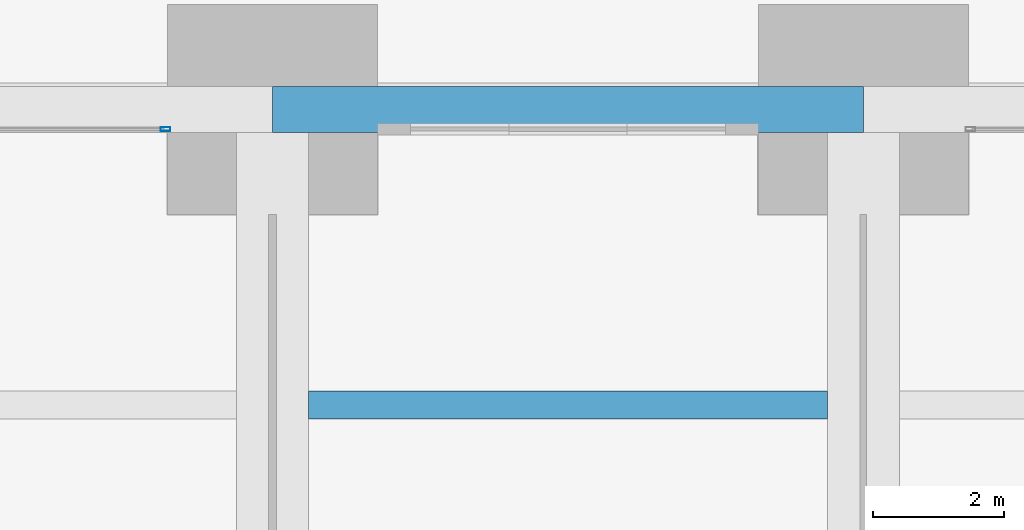
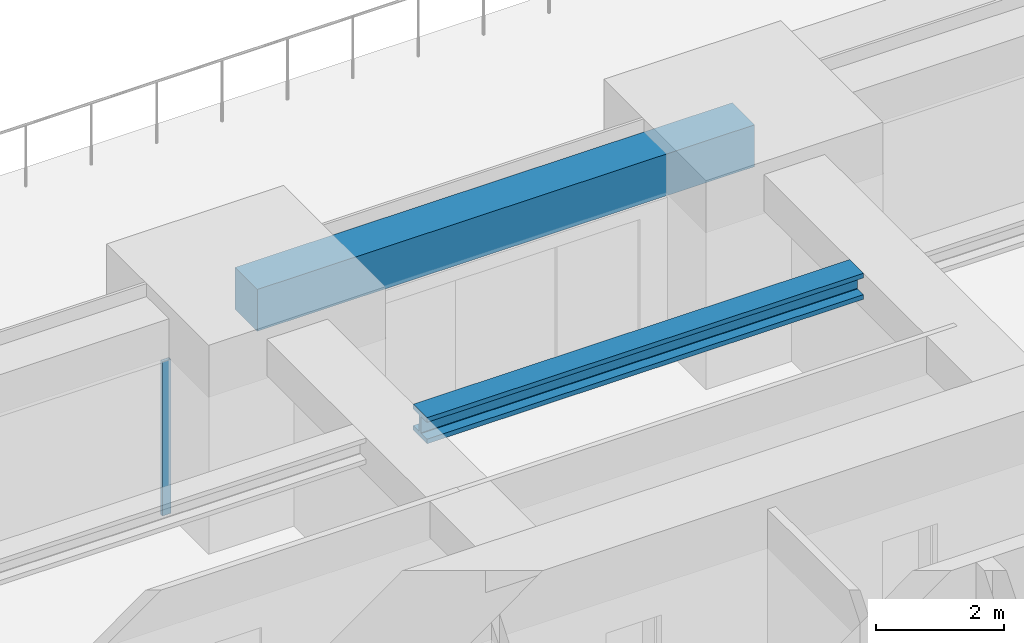
# One storey, part 29 of 50: 2 beams, 1 member, 1 element without a shape of its own.
"""IFC4 building model written with IfcOpenShell, lengths in metres."""

from ifc_helpers import new_model, si_unit, direction, frame, origin, origin_2d, place, context, subcontext, project, spatial, rectangle, hollow_rectangle, i_section, extrude, material, material_profile, profile_set, type_object, element, aggregate, save


model = new_model("IFC4")

# Units and contexts
model_context = context("Model", 3, precision=1e-05, world=origin(), true_north=direction((0.0, 1.0)))
body_context = subcontext(model_context, "Body", "Model", "MODEL_VIEW")
ifc_project = project(units=[si_unit("LENGTHUNIT", "METRE"), si_unit("AREAUNIT", "SQUARE_METRE"), si_unit("VOLUMEUNIT", "CUBIC_METRE"), si_unit("PLANEANGLEUNIT", "RADIAN"), si_unit("MASSUNIT", "GRAM", prefix="KILO")], contexts=[model_context])

# Site, building, storey
site_placement = place(None, origin())
site = spatial("IfcSite", under=ifc_project, at=site_placement, CompositionType="ELEMENT")
building_placement = place(site_placement, origin())
building = spatial("IfcBuilding", under=site, at=building_placement, Name="Zorevar Civic Tower", CompositionType="ELEMENT")
storey_placement = place(building_placement, frame((0.0, 0.0, 85.0)))
storey = spatial("IfcBuildingStorey", under=building, at=storey_placement, Name="L20", CompositionType="ELEMENT", Elevation=85.0)

# Curtain wall, member
ifc_material_1 = material(Name="Dark grey solar-control glass in black aluminium frame", Category="aluminium")
curtain_wall_type = type_object("IfcCurtainWallType", Name="Curtain wall CW3 mid zone", PredefinedType="NOTDEFINED", material=ifc_material_1)
curtain_wall_placement = place(storey_placement, origin())
curtain_wall = element("IfcCurtainWall", 1, at=curtain_wall_placement, inside=storey, type_object=curtain_wall_type, Name="CW3 L20", PredefinedType="NOTDEFINED")
ifc_material_2 = material(Name="Aluminium, black anodised", Category="aluminium")
ifc_material_profile_1 = material_profile(ifc_material_2, hollow_rectangle(XDim=0.06005859375, YDim=0.14990234375, WallThickness=0.00390625, at=origin_2d()), Name="AL 150x60x4")
ifc_profile_set_1 = profile_set([ifc_material_profile_1], Name="Aluminium, black anodised")
member_type = type_object("IfcMemberType", Name="CW3 mullion AL 150x60x4", PredefinedType="MULLION", material=ifc_profile_set_1)
member_placement = place(storey_placement, frame((25.3701171875, 44.699951171875, 0.0), z_axis=(0.0, 0.0, 1.0), x_axis=(0.0, 1.0, 0.0)))
member = element("IfcMember", 2, at=member_placement, type_object=member_type, Name="CW3 mullion 2", PredefinedType="MULLION", context=body_context, shape_type="SweptSolid", body=[
    extrude(hollow_rectangle(XDim=0.06005859375, YDim=0.14990234375, WallThickness=0.00390625, at=origin_2d()), origin(), (0.0, 0.0, 1.0), 2.949951171875),
])
aggregate(curtain_wall, [member])

# Beams
ifc_material_3 = material(Name="Steel S460M (HISTAR 460)", Category="steel")
ifc_material_profile_2 = material_profile(ifc_material_3, i_section(OverallWidth=0.431884765625, OverallDepth=0.498046875, WebThickness=0.0556640625, FlangeThickness=0.0888671875, FilletRadius=0.014892578125, at=origin_2d()), Name="HD 400x744")
ifc_profile_set_2 = profile_set([ifc_material_profile_2], Name="Steel S460M (HISTAR 460)")
beam_type_1 = type_object("IfcBeamType", Name="Core bay beam HD 400x744", PredefinedType="BEAM", material=ifc_profile_set_2)
beam_1_placement = place(storey_placement, frame((27.550048828125, 40.5, 3.5009765625), z_axis=(1.0, 0.0, 0.0), x_axis=(0.0, 1.0, 0.0)))
element("IfcBeam", 3, at=beam_1_placement, inside=storey, type_object=beam_type_1, Name="Secondary beam L21", PredefinedType="BEAM", context=body_context, shape_type="SweptSolid", body=[
    extrude(i_section(OverallWidth=0.431884765625, OverallDepth=0.498046875, WebThickness=0.0556640625, FlangeThickness=0.0888671875, FilletRadius=0.014892578125, at=origin_2d()), origin(), (0.0, 0.0, 1.0), 7.89990234375),
])
ifc_material_4 = material(Name="Concrete C50/60", Category="concrete")
ifc_material_profile_3 = material_profile(ifc_material_4, rectangle(XDim=0.699951171875, YDim=0.800048828125, at=origin_2d()), Name="RC 700x800")
ifc_profile_set_3 = profile_set([ifc_material_profile_3], Name="Concrete C50/60")
beam_type_2 = type_object("IfcBeamType", Name="Edge beam RC 700x800", PredefinedType="SPANDREL", material=ifc_profile_set_3)
beam_2_placement = place(storey_placement, frame((27.0, 45.0, 3.35009765625), z_axis=(1.0, 0.0, 0.0), x_axis=(0.0, 1.0, 0.0)))
element("IfcBeam", 4, at=beam_2_placement, inside=storey, type_object=beam_type_2, Name="Edge beam L21", PredefinedType="SPANDREL", context=body_context, shape_type="SweptSolid", body=[
    extrude(rectangle(XDim=0.699951171875, YDim=0.800048828125, at=origin_2d()), origin(), (0.0, 0.0, 1.0), 9.0),
])

save(model, "model.ifc")
